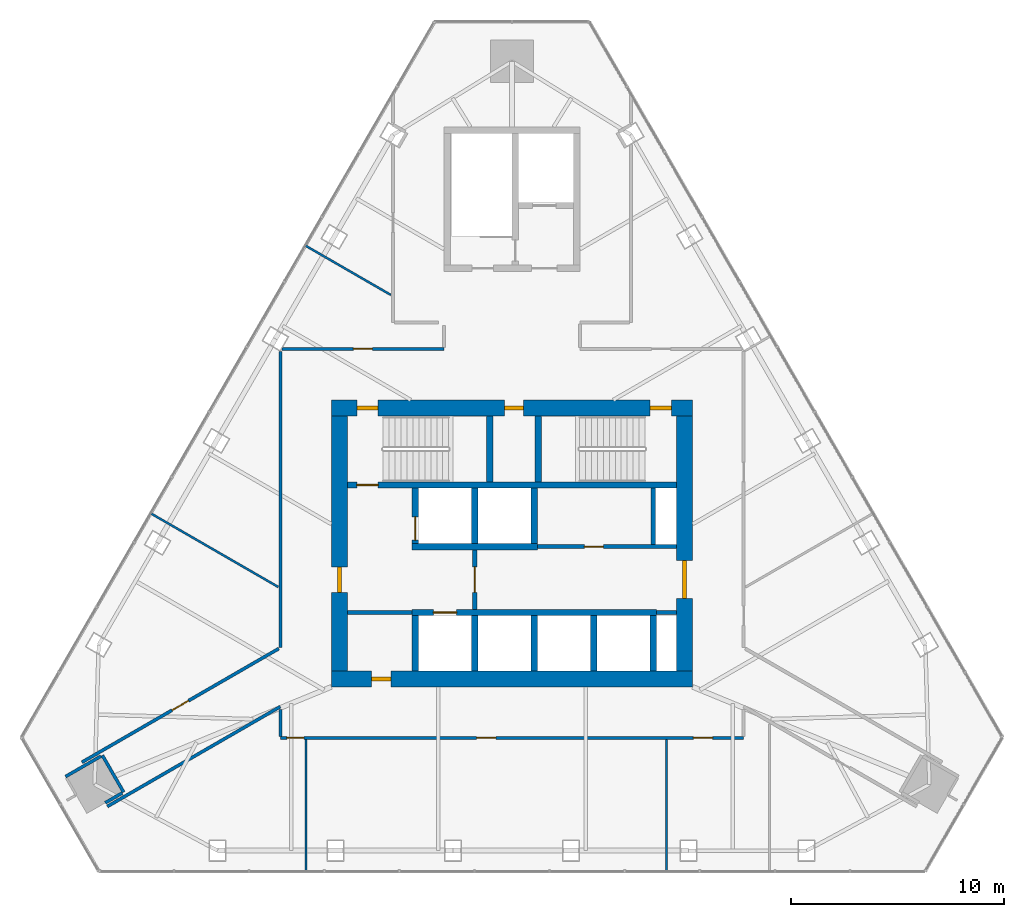
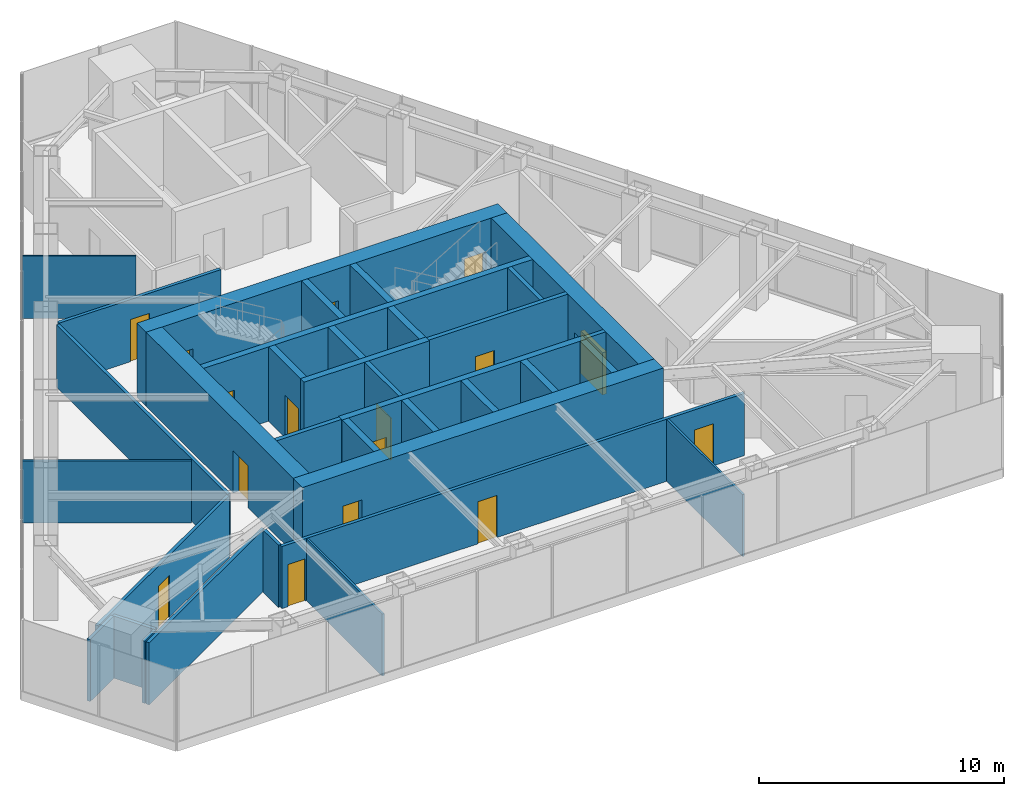
# One storey, part 11 of 13: 35 walls, 16 doors, 16 openings.
"""IFC4 building model written with IfcOpenShell, lengths in metres."""

from ifc_helpers import new_model, si_unit, direction, frame, frame_2d, origin, place, context, subcontext, project, spatial, rectangle, extrude, material, layer, layer_set, type_object, element, fill, save


model = new_model("IFC4")

# Units and contexts
model_context = context("Model", 3, precision=1e-05, world=origin(), true_north=direction((0.0, 1.0)))
body_context = subcontext(model_context, "Body", "Model", "MODEL_VIEW")
ifc_project = project(units=[si_unit("LENGTHUNIT", "METRE"), si_unit("AREAUNIT", "SQUARE_METRE"), si_unit("VOLUMEUNIT", "CUBIC_METRE"), si_unit("PLANEANGLEUNIT", "RADIAN"), si_unit("MASSUNIT", "GRAM", prefix="KILO")], contexts=[model_context])

# Site, building, storey
site_placement = place(None, origin())
site = spatial("IfcSite", under=ifc_project, at=site_placement, CompositionType="ELEMENT")
building_placement = place(site_placement, origin())
building = spatial("IfcBuilding", under=site, at=building_placement, Name="Firuza Gate Tower and Library", CompositionType="ELEMENT")
storey_placement = place(building_placement, frame((0.0, 0.0, 335.60009765625)))
storey = spatial("IfcBuildingStorey", under=building, at=storey_placement, Name="L82", CompositionType="ELEMENT", Elevation=335.60009765625)

# Walls
ifc_material_1 = material(Name="Plasterboard on steel studs", Category="steel")
ifc_layer_1 = layer(ifc_material_1, 0.199951171875)
ifc_layer_set_1 = layer_set([ifc_layer_1], Name="Core partition 200 EI 120")
wall_type_1 = type_object("IfcWallType", Name="Core partition 200 EI 120", PredefinedType="PARTITIONING", material=ifc_layer_set_1)
wall_1_placement = place(storey_placement, frame((67.25, 71.75, 0.0), z_axis=(0.0, 0.0, 1.0), x_axis=(1.0, 0.0, 0.0)))
element("IfcWall", 1, at=wall_1_placement, inside=storey, type_object=wall_type_1, Name="Core partition L82 1", PredefinedType="PARTITIONING", context=body_context, shape_type="SweptSolid", body=[
    extrude(rectangle(XDim=3.050048828125, YDim=0.199951171875, at=frame_2d((1.52490234375, 0.0))), origin(), (0.0, 0.0, 1.0), 3.699951171875),
])
wall_2_placement = place(storey_placement, frame((81.800048828125, 71.75, 0.0), z_axis=(0.0, 0.0, 1.0), x_axis=(1.0, 0.0, 0.0)))
element("IfcWall", 2, at=wall_2_placement, inside=storey, type_object=wall_type_1, Name="Core partition L82 2", PredefinedType="PARTITIONING", context=body_context, shape_type="SweptSolid", body=[
    extrude(rectangle(XDim=0.949951171875, YDim=0.199951171875, at=frame_2d((0.47509765625, 0.0))), origin(), (0.0, 0.0, 1.0), 3.699951171875),
])

# Wall, opening, door
wall_3_placement = place(storey_placement, frame((76.199951171875, 74.85009765625, 0.0), z_axis=(0.0, 0.0, 1.0), x_axis=(1.0, 0.0, 0.0)))
wall_3 = element("IfcWall", 3, at=wall_3_placement, inside=storey, type_object=wall_type_1, Name="Core partition L82 3", PredefinedType="PARTITIONING", context=body_context, shape_type="SweptSolid", body=[
    extrude(rectangle(XDim=6.550048828125, YDim=0.199951171875, at=frame_2d((3.27490234375, 0.0))), origin(), (0.0, 0.0, 1.0), 3.699951171875),
])
opening_1_placement = place(wall_3_placement, frame((2.199951171875, 0.0, 0.0)))
opening_1 = element("IfcOpeningElement", 4, at=opening_1_placement, cuts=wall_3, Name="Opening L82-K14", PredefinedType="OPENING", context=body_context, shape_type="SweptSolid", body=[
    extrude(rectangle(XDim=0.89990234375, YDim=2.10009765625, at=frame_2d((0.449951171875, 1.050048828125))), frame((0.0, 0.10986328125, 0.0), z_axis=(0.0, -1.0, 0.0), x_axis=(1.0, 0.0, 0.0)), (0.0, 0.0, 1.0), 0.219970703125),
])
ifc_material_2 = material(Name="Steel", Category="steel")
door_type_1 = type_object("IfcDoorType", Name="Fire door 900x2100 FD30S", OperationType="NOTDEFINED", PredefinedType="DOOR", material=ifc_material_2)
door_1_placement = place(opening_1_placement, origin())
door_1 = element("IfcDoor", 5, at=door_1_placement, inside=storey, type_object=door_type_1, Name="Door L82-K14", OperationType="SINGLE_SWING_LEFT", OverallHeight=2.10009765625, OverallWidth=0.89990234375, PredefinedType="DOOR", context=body_context, shape_type="SweptSolid", body=[
    extrude(rectangle(XDim=0.89990234375, YDim=2.10009765625, at=frame_2d((0.449951171875, 1.050048828125))), frame((0.0, 0.02490234375, 0.0), z_axis=(0.0, -1.0, 0.0), x_axis=(1.0, 0.0, 0.0)), (0.0, 0.0, 1.0), 0.050048828125),
])
fill(opening_1, door_1)

# Wall
wall_4_placement = place(storey_placement, frame((81.64990234375, 74.949951171875, 0.0), z_axis=(0.0, 0.0, 1.0), x_axis=(0.0, 1.0, 0.0)))
element("IfcWall", 6, at=wall_4_placement, inside=storey, type_object=wall_type_1, Name="Core partition L82 5", PredefinedType="PARTITIONING", context=body_context, shape_type="SweptSolid", body=[
    extrude(rectangle(XDim=2.650146484375, YDim=0.199951171875, at=frame_2d((1.3251953125, 0.0))), origin(), (0.0, 0.0, 1.0), 3.699951171875),
])

# Wall, opening, door
ifc_material_3 = material(Name="Plasterboard on steel studs", Category="steel")
ifc_layer_2 = layer(ifc_material_3, 0.199951171875)
ifc_layer_set_2 = layer_set([ifc_layer_2], Name="Core partition 200 EI 60")
wall_type_2 = type_object("IfcWallType", Name="Core partition 200 EI 60", PredefinedType="PARTITIONING", material=ifc_layer_set_2)
wall_5_placement = place(storey_placement, frame((73.25, 71.89990234375, 0.0), z_axis=(0.0, 0.0, 1.0), x_axis=(0.0, 1.0, 0.0)))
wall_5 = element("IfcWall", 7, at=wall_5_placement, inside=storey, type_object=wall_type_2, Name="Core partition L82 4", PredefinedType="PARTITIONING", context=body_context, shape_type="SweptSolid", body=[
    extrude(rectangle(XDim=2.800048828125, YDim=0.199951171875, at=frame_2d((1.39990234375, 0.0))), origin(), (0.0, 0.0, 1.0), 3.699951171875),
])
opening_2_placement = place(wall_5_placement, frame((0.800048828125, 0.0, 0.0)))
opening_2 = element("IfcOpeningElement", 8, at=opening_2_placement, cuts=wall_5, Name="Opening L82-K10", PredefinedType="OPENING", context=body_context, shape_type="SweptSolid", body=[
    extrude(rectangle(XDim=1.199951171875, YDim=2.10009765625, at=frame_2d((0.60009765625, 1.050048828125))), frame((0.0, 0.10986328125, 0.0), z_axis=(0.0, -1.0, 0.0), x_axis=(1.0, 0.0, 0.0)), (0.0, 0.0, 1.0), 0.219970703125),
])
ifc_material_4 = material(Name="Steel", Category="steel")
door_type_2 = type_object("IfcDoorType", Name="Fire door 1200x2100 FD90S", OperationType="NOTDEFINED", PredefinedType="DOOR", material=ifc_material_4)
door_2_placement = place(opening_2_placement, origin())
door_2 = element("IfcDoor", 9, at=door_2_placement, inside=storey, type_object=door_type_2, Name="Door L82-K10", OperationType="SINGLE_SWING_LEFT", OverallHeight=2.10009765625, OverallWidth=1.199951171875, PredefinedType="DOOR", context=body_context, shape_type="SweptSolid", body=[
    extrude(rectangle(XDim=1.199951171875, YDim=2.10009765625, at=frame_2d((0.60009765625, 1.050048828125))), frame((0.0, 0.02490234375, 0.0), z_axis=(0.0, -1.0, 0.0), x_axis=(1.0, 0.0, 0.0)), (0.0, 0.0, 1.0), 0.050048828125),
])
fill(opening_2, door_2)

ifc_material_5 = material(Name="Concrete C60/75", Category="concrete")
ifc_layer_3 = layer(ifc_material_5, 0.300048828125)
ifc_layer_set_3 = layer_set([ifc_layer_3], Name="Core wall 300 C60/75")
wall_type_3 = type_object("IfcWallType", Name="Core wall 300 C60/75", PredefinedType="SHEAR", material=ifc_layer_set_3)
wall_6_placement = place(storey_placement, frame((70.300048828125, 71.75, 0.0), z_axis=(0.0, 0.0, 1.0), x_axis=(1.0, 0.0, 0.0)))
wall_6 = element("IfcWall", 10, at=wall_6_placement, inside=storey, type_object=wall_type_3, Name="Core wall L82 5", PredefinedType="SHEAR", context=body_context, shape_type="SweptSolid", body=[
    extrude(rectangle(XDim=11.5, YDim=0.300048828125, at=frame_2d((5.75, 0.0))), origin(), (0.0, 0.0, 1.0), 3.699951171875),
])
opening_3_placement = place(wall_6_placement, frame((1.0, 0.0, 0.0)))
opening_3 = element("IfcOpeningElement", 11, at=opening_3_placement, cuts=wall_6, Name="Opening LD-FF1-L82", PredefinedType="OPENING", context=body_context, shape_type="SweptSolid", body=[
    extrude(rectangle(XDim=1.10009765625, YDim=2.10009765625, at=frame_2d((0.550048828125, 1.050048828125))), frame((0.0, 0.16015625, 0.0), z_axis=(0.0, -1.0, 0.0), x_axis=(1.0, 0.0, 0.0)), (0.0, 0.0, 1.0), 0.320068359375),
])
ifc_material_6 = material(Name="Stainless steel", Category="steel")
door_type_3 = type_object("IfcDoorType", Name="Lift landing door 1100x2100", OperationType="DOUBLE_DOOR_SLIDING", PredefinedType="DOOR", material=ifc_material_6)
door_3_placement = place(opening_3_placement, origin())
door_3 = element("IfcDoor", 12, at=door_3_placement, inside=storey, type_object=door_type_3, Name="Landing door FF1 L82", OperationType="DOUBLE_DOOR_SLIDING", OverallHeight=2.10009765625, OverallWidth=1.10009765625, PredefinedType="DOOR", context=body_context, shape_type="SweptSolid", body=[
    extrude(rectangle(XDim=1.10009765625, YDim=2.10009765625, at=frame_2d((0.550048828125, 1.050048828125))), frame((0.0, 0.02490234375, 0.0), z_axis=(0.0, -1.0, 0.0), x_axis=(1.0, 0.0, 0.0)), (0.0, 0.0, 1.0), 0.050048828125),
])
fill(opening_3, door_3)

# Walls
wall_7_placement = place(storey_placement, frame((70.300048828125, 74.85009765625, 0.0), z_axis=(0.0, 0.0, 1.0), x_axis=(1.0, 0.0, 0.0)))
element("IfcWall", 13, at=wall_7_placement, inside=storey, type_object=wall_type_3, Name="Core wall L82 6", PredefinedType="SHEAR", context=body_context, shape_type="SweptSolid", body=[
    extrude(rectangle(XDim=5.89990234375, YDim=0.300048828125, at=frame_2d((2.949951171875, 0.0))), origin(), (0.0, 0.0, 1.0), 3.699951171875),
])
wall_8_placement = place(storey_placement, frame((70.449951171875, 69.0, 0.0), z_axis=(0.0, 0.0, 1.0), x_axis=(0.0, 1.0, 0.0)))
element("IfcWall", 14, at=wall_8_placement, inside=storey, type_object=wall_type_3, Name="Core wall L82 7", PredefinedType="SHEAR", context=body_context, shape_type="SweptSolid", body=[
    extrude(rectangle(XDim=2.60009765625, YDim=0.300048828125, at=frame_2d((1.300048828125, 0.0))), origin(), (0.0, 0.0, 1.0), 3.699951171875),
])

# Wall, opening, door
wall_9_placement = place(storey_placement, frame((70.449951171875, 75.0, 0.0), z_axis=(0.0, 0.0, 1.0), x_axis=(0.0, 1.0, 0.0)))
wall_9 = element("IfcWall", 15, at=wall_9_placement, inside=storey, type_object=wall_type_3, Name="Core wall L82 8", PredefinedType="SHEAR", context=body_context, shape_type="SweptSolid", body=[
    extrude(rectangle(XDim=2.60009765625, YDim=0.300048828125, at=frame_2d((1.300048828125, 0.0))), origin(), (0.0, 0.0, 1.0), 3.699951171875),
])
opening_4_placement = place(wall_9_placement, frame((0.14990234375, 0.0, 0.0)))
opening_4 = element("IfcOpeningElement", 16, at=opening_4_placement, cuts=wall_9, Name="Opening LD-FF2-L82", PredefinedType="OPENING", context=body_context, shape_type="SweptSolid", body=[
    extrude(rectangle(XDim=1.10009765625, YDim=2.10009765625, at=frame_2d((0.550048828125, 1.050048828125))), frame((0.0, 0.16015625, 0.0), z_axis=(0.0, -1.0, 0.0), x_axis=(1.0, 0.0, 0.0)), (0.0, 0.0, 1.0), 0.320068359375),
])
door_4_placement = place(opening_4_placement, origin())
door_4 = element("IfcDoor", 17, at=door_4_placement, inside=storey, type_object=door_type_3, Name="Landing door FF2 L82", OperationType="DOUBLE_DOOR_SLIDING", OverallHeight=2.10009765625, OverallWidth=1.10009765625, PredefinedType="DOOR", context=body_context, shape_type="SweptSolid", body=[
    extrude(rectangle(XDim=1.10009765625, YDim=2.10009765625, at=frame_2d((0.550048828125, 1.050048828125))), frame((0.0, 0.02490234375, 0.0), z_axis=(0.0, -1.0, 0.0), x_axis=(1.0, 0.0, 0.0)), (0.0, 0.0, 1.0), 0.050048828125),
])
fill(opening_4, door_4)

# Walls
for number, where, z_axis, x_axis, name in (
    (18, (73.25, 69.0, 0.0), (0.0, 0.0, 1.0), (0.0, 1.0, 0.0), "Core wall L82 9"),
    (19, (73.25, 75.0, 0.0), (0.0, 0.0, 1.0), (0.0, 1.0, 0.0), "Core wall L82 10"),
    (20, (76.050048828125, 69.0, 0.0), (0.0, 0.0, 1.0), (0.0, 1.0, 0.0), "Core wall L82 11"),
    (21, (76.050048828125, 75.0, 0.0), (0.0, 0.0, 1.0), (0.0, 1.0, 0.0), "Core wall L82 12"),
    (22, (78.85009765625, 69.0, 0.0), (0.0, 0.0, 1.0), (0.0, 1.0, 0.0), "Core wall L82 13"),
    (23, (81.64990234375, 69.0, 0.0), (0.0, 0.0, 1.0), (0.0, 1.0, 0.0), "Core wall L82 14"),
):
    element("IfcWall", number, at=place(storey_placement, frame(where, z_axis=z_axis, x_axis=x_axis)), inside=storey, type_object=wall_type_3, Name=name, PredefinedType="SHEAR", context=body_context, shape_type="SweptSolid", body=[
        extrude(rectangle(XDim=2.60009765625, YDim=0.300048828125, at=frame_2d((1.300048828125, 0.0))), origin(), (0.0, 0.0, 1.0), 3.699951171875),
    ])

# Wall, opening, door
wall_10_placement = place(storey_placement, frame((67.25, 77.75, 0.0), z_axis=(0.0, 0.0, 1.0), x_axis=(1.0, 0.0, 0.0)))
wall_10 = element("IfcWall", 24, at=wall_10_placement, inside=storey, type_object=wall_type_3, Name="Core wall L82 15", PredefinedType="SHEAR", context=body_context, shape_type="SweptSolid", body=[
    extrude(rectangle(XDim=15.5, YDim=0.300048828125, at=frame_2d((7.75, 0.0))), origin(), (0.0, 0.0, 1.0), 3.699951171875),
])
opening_5_placement = place(wall_10_placement, frame((0.445068359375, 0.0, 0.0)))
opening_5 = element("IfcOpeningElement", 25, at=opening_5_placement, cuts=wall_10, Name="Opening L82-K04", PredefinedType="OPENING", context=body_context, shape_type="SweptSolid", body=[
    extrude(rectangle(XDim=1.0, YDim=2.10009765625, at=frame_2d((0.5, 1.050048828125))), frame((0.0, 0.16015625, 0.0), z_axis=(0.0, -1.0, 0.0), x_axis=(1.0, 0.0, 0.0)), (0.0, 0.0, 1.0), 0.320068359375),
])
ifc_material_7 = material(Name="Steel", Category="steel")
door_type_4 = type_object("IfcDoorType", Name="Fire door 1000x2100 FD90", OperationType="NOTDEFINED", PredefinedType="DOOR", material=ifc_material_7)
door_5_placement = place(opening_5_placement, origin())
door_5 = element("IfcDoor", 26, at=door_5_placement, inside=storey, type_object=door_type_4, Name="Door L82-K04", OperationType="SINGLE_SWING_LEFT", OverallHeight=2.10009765625, OverallWidth=1.0, PredefinedType="DOOR", context=body_context, shape_type="SweptSolid", body=[
    extrude(rectangle(XDim=1.0, YDim=2.10009765625, at=frame_2d((0.5, 1.050048828125))), frame((0.0, 0.02490234375, 0.0), z_axis=(0.0, -1.0, 0.0), x_axis=(1.0, 0.0, 0.0)), (0.0, 0.0, 1.0), 0.050048828125),
])
fill(opening_5, door_5)

# Walls
for number, where, z_axis, x_axis, name in (
    (27, (73.9599609375, 77.89990234375, 0.0), (0.0, 0.0, 1.0), (0.0, 1.0, 0.0), "Core wall L82 16"),
    (28, (76.239990234375, 77.89990234375, 0.0), (0.0, 0.0, 1.0), (0.0, 1.0, 0.0), "Core wall L82 17"),
):
    element("IfcWall", number, at=place(storey_placement, frame(where, z_axis=z_axis, x_axis=x_axis)), inside=storey, type_object=wall_type_3, Name=name, PredefinedType="SHEAR", context=body_context, shape_type="SweptSolid", body=[
        extrude(rectangle(XDim=3.10009765625, YDim=0.300048828125, at=frame_2d((1.550048828125, 0.0))), origin(), (0.0, 0.0, 1.0), 3.699951171875),
    ])

# Wall, opening, door
ifc_material_8 = material(Name="Concrete C60/75", Category="concrete")
ifc_layer_4 = layer(ifc_material_8, 0.75)
ifc_layer_set_4 = layer_set([ifc_layer_4], Name="Core wall 750 C60/75")
wall_type_4 = type_object("IfcWallType", Name="Core wall 750 C60/75", PredefinedType="SHEAR", material=ifc_layer_set_4)
wall_11_placement = place(storey_placement, frame((66.5, 68.625, 0.0), z_axis=(0.0, 0.0, 1.0), x_axis=(1.0, 0.0, 0.0)))
wall_11 = element("IfcWall", 29, at=wall_11_placement, inside=storey, type_object=wall_type_4, Name="Core wall L82 1", PredefinedType="SHEAR", context=body_context, shape_type="SweptSolid", body=[
    extrude(rectangle(XDim=17.0, YDim=0.75, at=frame_2d((8.5, 0.0))), origin(), (0.0, 0.0, 1.0), 3.699951171875),
])
opening_6_placement = place(wall_11_placement, frame((1.89990234375, 0.0, 0.0)))
opening_6 = element("IfcOpeningElement", 30, at=opening_6_placement, cuts=wall_11, Name="Opening L82-K13", PredefinedType="OPENING", context=body_context, shape_type="SweptSolid", body=[
    extrude(rectangle(XDim=0.89990234375, YDim=2.10009765625, at=frame_2d((0.449951171875, 1.050048828125))), frame((0.0, 0.385009765625, 0.0), z_axis=(0.0, -1.0, 0.0), x_axis=(1.0, 0.0, 0.0)), (0.0, 0.0, 1.0), 0.77001953125),
])
door_6_placement = place(opening_6_placement, origin())
door_6 = element("IfcDoor", 31, at=door_6_placement, inside=storey, type_object=door_type_1, Name="Door L82-K13", OperationType="SINGLE_SWING_RIGHT", OverallHeight=2.10009765625, OverallWidth=0.89990234375, PredefinedType="DOOR", context=body_context, shape_type="SweptSolid", body=[
    extrude(rectangle(XDim=0.89990234375, YDim=2.10009765625, at=frame_2d((0.449951171875, 1.050048828125))), frame((0.0, 0.094970703125, 0.0), z_axis=(0.0, -1.0, 0.0), x_axis=(1.0, 0.0, 0.0)), (0.0, 0.0, 1.0), 0.18994140625),
])
fill(opening_6, door_6)

# Wall, openings, doors
wall_12_placement = place(storey_placement, frame((66.5, 81.375, 0.0), z_axis=(0.0, 0.0, 1.0), x_axis=(1.0, 0.0, 0.0)))
wall_12 = element("IfcWall", 32, at=wall_12_placement, inside=storey, type_object=wall_type_4, Name="Core wall L82 2", PredefinedType="SHEAR", context=body_context, shape_type="SweptSolid", body=[
    extrude(rectangle(XDim=17.0, YDim=0.75, at=frame_2d((8.5, 0.0))), origin(), (0.0, 0.0, 1.0), 3.699951171875),
])
opening_7_placement = place(wall_12_placement, frame((1.195068359375, 0.0, 0.0)))
opening_7 = element("IfcOpeningElement", 33, at=opening_7_placement, cuts=wall_12, Name="Opening L82-K05", PredefinedType="OPENING", context=body_context, shape_type="SweptSolid", body=[
    extrude(rectangle(XDim=1.0, YDim=2.10009765625, at=frame_2d((0.5, 1.050048828125))), frame((0.0, 0.385009765625, 0.0), z_axis=(0.0, -1.0, 0.0), x_axis=(1.0, 0.0, 0.0)), (0.0, 0.0, 1.0), 0.77001953125),
])
opening_8_placement = place(wall_12_placement, frame((15.0048828125, 0.0, 0.0)))
opening_8 = element("IfcOpeningElement", 34, at=opening_8_placement, cuts=wall_12, Name="Opening L82-K06", PredefinedType="OPENING", context=body_context, shape_type="SweptSolid", body=[
    extrude(rectangle(XDim=1.0, YDim=2.10009765625, at=frame_2d((0.5, 1.050048828125))), frame((0.0, 0.385009765625, 0.0), z_axis=(0.0, -1.0, 0.0), x_axis=(1.0, 0.0, 0.0)), (0.0, 0.0, 1.0), 0.77001953125),
])
opening_9_placement = place(wall_12_placement, frame((8.14990234375, 0.0, 0.0)))
opening_9 = element("IfcOpeningElement", 35, at=opening_9_placement, cuts=wall_12, Name="Opening L82-K15", PredefinedType="OPENING", context=body_context, shape_type="SweptSolid", body=[
    extrude(rectangle(XDim=0.89990234375, YDim=2.10009765625, at=frame_2d((0.449951171875, 1.050048828125))), frame((0.0, 0.385009765625, 0.0), z_axis=(0.0, -1.0, 0.0), x_axis=(1.0, 0.0, 0.0)), (0.0, 0.0, 1.0), 0.77001953125),
])
door_7_placement = place(opening_7_placement, origin())
door_7 = element("IfcDoor", 36, at=door_7_placement, inside=storey, type_object=door_type_4, Name="Door L82-K05", OperationType="SINGLE_SWING_RIGHT", OverallHeight=2.10009765625, OverallWidth=1.0, PredefinedType="DOOR", context=body_context, shape_type="SweptSolid", body=[
    extrude(rectangle(XDim=1.0, YDim=2.10009765625, at=frame_2d((0.5, 1.050048828125))), frame((0.0, 0.094970703125, 0.0), z_axis=(0.0, -1.0, 0.0), x_axis=(1.0, 0.0, 0.0)), (0.0, 0.0, 1.0), 0.18994140625),
])
fill(opening_7, door_7)
door_8_placement = place(opening_8_placement, origin())
door_8 = element("IfcDoor", 37, at=door_8_placement, inside=storey, type_object=door_type_4, Name="Door L82-K06", OperationType="SINGLE_SWING_LEFT", OverallHeight=2.10009765625, OverallWidth=1.0, PredefinedType="DOOR", context=body_context, shape_type="SweptSolid", body=[
    extrude(rectangle(XDim=1.0, YDim=2.10009765625, at=frame_2d((0.5, 1.050048828125))), frame((0.0, 0.094970703125, 0.0), z_axis=(0.0, -1.0, 0.0), x_axis=(1.0, 0.0, 0.0)), (0.0, 0.0, 1.0), 0.18994140625),
])
fill(opening_8, door_8)
door_9_placement = place(opening_9_placement, origin())
door_9 = element("IfcDoor", 38, at=door_9_placement, inside=storey, type_object=door_type_1, Name="Door L82-K15", OperationType="SINGLE_SWING_RIGHT", OverallHeight=2.10009765625, OverallWidth=0.89990234375, PredefinedType="DOOR", context=body_context, shape_type="SweptSolid", body=[
    extrude(rectangle(XDim=0.89990234375, YDim=2.10009765625, at=frame_2d((0.449951171875, 1.050048828125))), frame((0.0, 0.094970703125, 0.0), z_axis=(0.0, -1.0, 0.0), x_axis=(1.0, 0.0, 0.0)), (0.0, 0.0, 1.0), 0.18994140625),
])
fill(opening_9, door_9)

# Wall, opening, door
wall_13_placement = place(storey_placement, frame((66.875, 69.0, 0.0), z_axis=(0.0, 0.0, 1.0), x_axis=(0.0, 1.0, 0.0)))
wall_13 = element("IfcWall", 39, at=wall_13_placement, inside=storey, type_object=wall_type_4, Name="Core wall L82 3", PredefinedType="SHEAR", context=body_context, shape_type="SweptSolid", body=[
    extrude(rectangle(XDim=12.0, YDim=0.75, at=frame_2d((6.0, 0.0))), origin(), (0.0, 0.0, 1.0), 3.699951171875),
])
opening_10_placement = place(wall_13_placement, frame((3.699951171875, 0.0, 0.0)))
opening_10 = element("IfcOpeningElement", 40, at=opening_10_placement, cuts=wall_13, Name="Opening L82-K11", PredefinedType="OPENING", context=body_context, shape_type="SweptSolid", body=[
    extrude(rectangle(XDim=1.199951171875, YDim=2.10009765625, at=frame_2d((0.60009765625, 1.050048828125))), frame((0.0, 0.385009765625, 0.0), z_axis=(0.0, -1.0, 0.0), x_axis=(1.0, 0.0, 0.0)), (0.0, 0.0, 1.0), 0.77001953125),
])
door_10_placement = place(opening_10_placement, origin())
door_10 = element("IfcDoor", 41, at=door_10_placement, inside=storey, type_object=door_type_2, Name="Door L82-K11", OperationType="SINGLE_SWING_RIGHT", OverallHeight=2.10009765625, OverallWidth=1.199951171875, PredefinedType="DOOR", context=body_context, shape_type="SweptSolid", body=[
    extrude(rectangle(XDim=1.199951171875, YDim=2.10009765625, at=frame_2d((0.60009765625, 1.050048828125))), frame((0.0, 0.094970703125, 0.0), z_axis=(0.0, -1.0, 0.0), x_axis=(1.0, 0.0, 0.0)), (0.0, 0.0, 1.0), 0.18994140625),
])
fill(opening_10, door_10)

wall_14_placement = place(storey_placement, frame((83.125, 69.0, 0.0), z_axis=(0.0, 0.0, 1.0), x_axis=(0.0, 1.0, 0.0)))
wall_14 = element("IfcWall", 42, at=wall_14_placement, inside=storey, type_object=wall_type_4, Name="Core wall L82 4", PredefinedType="SHEAR", context=body_context, shape_type="SweptSolid", body=[
    extrude(rectangle(XDim=12.0, YDim=0.75, at=frame_2d((6.0, 0.0))), origin(), (0.0, 0.0, 1.0), 3.699951171875),
])
opening_11_placement = place(wall_14_placement, frame((3.39990234375, 0.0, 0.0)))
opening_11 = element("IfcOpeningElement", 43, at=opening_11_placement, cuts=wall_14, Name="Opening L82-K12", PredefinedType="OPENING", context=body_context, shape_type="SweptSolid", body=[
    extrude(rectangle(XDim=1.800048828125, YDim=2.10009765625, at=frame_2d((0.89990234375, 1.050048828125))), frame((0.0, 0.385009765625, 0.0), z_axis=(0.0, -1.0, 0.0), x_axis=(1.0, 0.0, 0.0)), (0.0, 0.0, 1.0), 0.77001953125),
])
ifc_material_9 = material(Name="Steel", Category="steel")
door_type_5 = type_object("IfcDoorType", Name="Fire door 1800x2100 FD30S", OperationType="NOTDEFINED", PredefinedType="DOOR", material=ifc_material_9)
door_11_placement = place(opening_11_placement, origin())
door_11 = element("IfcDoor", 44, at=door_11_placement, inside=storey, type_object=door_type_5, Name="Door L82-K12", OperationType="SINGLE_SWING_LEFT", OverallHeight=2.10009765625, OverallWidth=1.800048828125, PredefinedType="DOOR", context=body_context, shape_type="SweptSolid", body=[
    extrude(rectangle(XDim=1.800048828125, YDim=2.10009765625, at=frame_2d((0.89990234375, 1.050048828125))), frame((0.0, 0.094970703125, 0.0), z_axis=(0.0, -1.0, 0.0), x_axis=(1.0, 0.0, 0.0)), (0.0, 0.0, 1.0), 0.18994140625),
])
fill(opening_11, door_11)

# Wall, openings, doors
ifc_material_10 = material(Name="Gypsum board partition")
ifc_layer_5 = layer(ifc_material_10, 0.14990234375)
ifc_layer_set_5 = layer_set([ifc_layer_5], Name="Corridor wall 150 double board on steel studs")
wall_type_5 = type_object("IfcWallType", Name="Corridor wall 150 double board on steel studs", PredefinedType="PARTITIONING", material=ifc_layer_set_5)
wall_15_placement = place(storey_placement, frame((85.8994140625, 65.85009765625, 0.0), z_axis=(0.0, 0.0, 1.0), x_axis=(-1.0, 0.0, 0.0)))
wall_15 = element("IfcWall", 45, at=wall_15_placement, inside=storey, type_object=wall_type_5, Name="f:L82:w000", PredefinedType="PARTITIONING", context=body_context, shape_type="SweptSolid", body=[
    extrude(rectangle(XDim=21.798828125, YDim=0.14990234375, at=frame_2d((10.8994140625, 0.0))), origin(), (0.0, 0.0, 1.0), 3.099853515625),
])
opening_12_placement = place(wall_15_placement, frame((1.4638671875, 0.0, 0.0)))
opening_12 = element("IfcOpeningElement", 46, at=opening_12_placement, cuts=wall_15, Name="Opening L82-01", PredefinedType="OPENING", context=body_context, shape_type="SweptSolid", body=[
    extrude(rectangle(XDim=0.89990234375, YDim=2.10009765625, at=frame_2d((0.449951171875, 1.050048828125))), frame((0.0, 0.0849609375, 0.0), z_axis=(0.0, -1.0, 0.0), x_axis=(1.0, 0.0, 0.0)), (0.0, 0.0, 1.0), 0.169921875),
])
opening_13_placement = place(wall_15_placement, frame((11.662109375, 0.0, 0.0)))
opening_13 = element("IfcOpeningElement", 47, at=opening_13_placement, cuts=wall_15, Name="Opening L82-02", PredefinedType="OPENING", context=body_context, shape_type="SweptSolid", body=[
    extrude(rectangle(XDim=0.89990234375, YDim=2.10009765625, at=frame_2d((0.449951171875, 1.050048828125))), frame((0.0, 0.0849609375, 0.0), z_axis=(0.0, -1.0, 0.0), x_axis=(1.0, 0.0, 0.0)), (0.0, 0.0, 1.0), 0.169921875),
])
opening_14_placement = place(wall_15_placement, frame((20.69775390625, 0.0, 0.0)))
opening_14 = element("IfcOpeningElement", 48, at=opening_14_placement, cuts=wall_15, Name="Opening L82-03", PredefinedType="OPENING", context=body_context, shape_type="SweptSolid", body=[
    extrude(rectangle(XDim=0.800048828125, YDim=2.10009765625, at=frame_2d((0.39990234375, 1.050048828125))), frame((0.0, 0.0849609375, 0.0), z_axis=(0.0, -1.0, 0.0), x_axis=(1.0, 0.0, 0.0)), (0.0, 0.0, 1.0), 0.169921875),
])
ifc_material_11 = material(Name="Timber door", Category="wood")
door_type_6 = type_object("IfcDoorType", Name="Door 800 x 2100 timber leaf", OperationType="NOTDEFINED", PredefinedType="DOOR", material=ifc_material_11)
door_12_placement = place(opening_14_placement, origin())
door_12 = element("IfcDoor", 49, at=door_12_placement, inside=storey, type_object=door_type_6, Name="f:L82:d003", OperationType="SINGLE_SWING_RIGHT", OverallHeight=2.10009765625, OverallWidth=0.800048828125, PredefinedType="DOOR", context=body_context, shape_type="SweptSolid", body=[
    extrude(rectangle(XDim=0.800048828125, YDim=2.10009765625, at=frame_2d((0.39990234375, 1.050048828125))), frame((0.0, 0.02490234375, 0.0), z_axis=(0.0, -1.0, 0.0), x_axis=(1.0, 0.0, 0.0)), (0.0, 0.0, 1.0), 0.050048828125),
])
fill(opening_14, door_12)
ifc_material_12 = material(Name="Steel door and timber leaf", Category="steel")
door_type_7 = type_object("IfcDoorType", Name="Fire door 900 x 2100 steel frame, timber leaf", OperationType="NOTDEFINED", PredefinedType="DOOR", material=ifc_material_12)
door_13_placement = place(opening_12_placement, origin())
door_13 = element("IfcDoor", 50, at=door_13_placement, inside=storey, type_object=door_type_7, Name="f:L82:d001", OperationType="SINGLE_SWING_RIGHT", OverallHeight=2.10009765625, OverallWidth=0.89990234375, PredefinedType="DOOR", context=body_context, shape_type="SweptSolid", body=[
    extrude(rectangle(XDim=0.89990234375, YDim=2.10009765625, at=frame_2d((0.449951171875, 1.050048828125))), frame((0.0, 0.02490234375, 0.0), z_axis=(0.0, -1.0, 0.0), x_axis=(1.0, 0.0, 0.0)), (0.0, 0.0, 1.0), 0.050048828125),
])
fill(opening_12, door_13)
door_14_placement = place(opening_13_placement, origin())
door_14 = element("IfcDoor", 51, at=door_14_placement, inside=storey, type_object=door_type_7, Name="f:L82:d002", OperationType="SINGLE_SWING_LEFT", OverallHeight=2.10009765625, OverallWidth=0.89990234375, PredefinedType="DOOR", context=body_context, shape_type="SweptSolid", body=[
    extrude(rectangle(XDim=0.89990234375, YDim=2.10009765625, at=frame_2d((0.449951171875, 1.050048828125))), frame((0.0, 0.02490234375, 0.0), z_axis=(0.0, -1.0, 0.0), x_axis=(1.0, 0.0, 0.0)), (0.0, 0.0, 1.0), 0.050048828125),
])
fill(opening_13, door_14)

# Wall, opening, door
wall_16_placement = place(storey_placement, frame((71.800048828125, 84.14990234375, 0.0), z_axis=(0.0, 0.0, 1.0), x_axis=(-1.0, 0.0, 0.0)))
wall_16 = element("IfcWall", 52, at=wall_16_placement, inside=storey, type_object=wall_type_5, Name="f:L82:w001", PredefinedType="PARTITIONING", context=body_context, shape_type="SweptSolid", body=[
    extrude(rectangle(XDim=7.6337890625, YDim=0.14990234375, at=frame_2d((3.81689453125, 0.0))), origin(), (0.0, 0.0, 1.0), 3.099853515625),
])
opening_15_placement = place(wall_16_placement, frame((3.366943359375, 0.0, 0.0)))
opening_15 = element("IfcOpeningElement", 53, at=opening_15_placement, cuts=wall_16, Name="Opening L82-04", PredefinedType="OPENING", context=body_context, shape_type="SweptSolid", body=[
    extrude(rectangle(XDim=0.89990234375, YDim=2.10009765625, at=frame_2d((0.449951171875, 1.050048828125))), frame((0.0, 0.0849609375, 0.0), z_axis=(0.0, -1.0, 0.0), x_axis=(1.0, 0.0, 0.0)), (0.0, 0.0, 1.0), 0.169921875),
])
door_15_placement = place(opening_15_placement, origin())
door_15 = element("IfcDoor", 54, at=door_15_placement, inside=storey, type_object=door_type_7, Name="f:L82:d004", OperationType="SINGLE_SWING_RIGHT", OverallHeight=2.10009765625, OverallWidth=0.89990234375, PredefinedType="DOOR", context=body_context, shape_type="SweptSolid", body=[
    extrude(rectangle(XDim=0.89990234375, YDim=2.10009765625, at=frame_2d((0.449951171875, 1.050048828125))), frame((0.0, 0.02490234375, 0.0), z_axis=(0.0, -1.0, 0.0), x_axis=(1.0, 0.0, 0.0)), (0.0, 0.0, 1.0), 0.050048828125),
])
fill(opening_15, door_15)

# Walls
wall_17_placement = place(storey_placement, frame((55.959228515625, 62.621337890625, 0.0), z_axis=(0.0, 0.0, 1.0), x_axis=(0.866027286158, 0.499996739618, 0.0)))
element("IfcWall", 55, at=wall_17_placement, inside=storey, type_object=wall_type_5, Name="f:L82:w006", PredefinedType="PARTITIONING", context=body_context, shape_type="SweptSolid", body=[
    extrude(rectangle(XDim=9.39990234375, YDim=0.14990234375, at=frame_2d((4.699951171875, 0.0))), origin(), (0.0, 0.0, 1.0), 3.096923828125),
])
wall_18_placement = place(storey_placement, frame((55.859130859375, 62.79443359375, 0.0), z_axis=(0.0, 0.0, 1.0), x_axis=(0.865974401185, 0.500088328689, 0.0)))
element("IfcWall", 56, at=wall_18_placement, inside=storey, type_object=wall_type_5, Name="f:L82:w007", PredefinedType="PARTITIONING", context=body_context, shape_type="SweptSolid", body=[
    extrude(rectangle(XDim=0.924072265625, YDim=0.14990234375, at=frame_2d((0.4619140625, 0.0))), origin(), (0.0, 0.0, 1.0), 3.099853515625),
])
wall_19_placement = place(storey_placement, frame((53.9931640625, 64.026611328125, 0.0), z_axis=(0.0, 0.0, 1.0), x_axis=(0.866048237946, 0.499960447986, 0.0)))
element("IfcWall", 57, at=wall_19_placement, inside=storey, type_object=wall_type_5, Name="f:L82:w009", PredefinedType="PARTITIONING", context=body_context, shape_type="SweptSolid", body=[
    extrude(rectangle(XDim=1.924072265625, YDim=0.14990234375, at=frame_2d((0.9619140625, 0.0))), origin(), (0.0, 0.0, 1.0), 3.099853515625),
])

# Wall, opening, door
wall_20_placement = place(storey_placement, frame((54.75927734375, 64.69970703125, 0.0), z_axis=(0.0, 0.0, 1.0), x_axis=(0.866021425885, 0.500006889861, 0.0)))
wall_20 = element("IfcWall", 58, at=wall_20_placement, inside=storey, type_object=wall_type_5, Name="f:L82:w010", PredefinedType="PARTITIONING", context=body_context, shape_type="SweptSolid", body=[
    extrude(rectangle(XDim=10.698974609375, YDim=0.14990234375, at=frame_2d((5.349609375, 0.0))), origin(), (0.0, 0.0, 1.0), 3.099853515625),
])
opening_16_placement = place(wall_20_placement, frame((4.899658203125, 0.0, 0.0)))
opening_16 = element("IfcOpeningElement", 59, at=opening_16_placement, cuts=wall_20, Name="Opening L82-06", PredefinedType="OPENING", context=body_context, shape_type="SweptSolid", body=[
    extrude(rectangle(XDim=0.89990234375, YDim=2.10009765625, at=frame_2d((0.449951171875, 1.050048828125))), frame((0.0, 0.0849609375, 0.0), z_axis=(0.0, -1.0, 0.0), x_axis=(1.0, 0.0, 0.0)), (0.0, 0.0, 1.0), 0.169921875),
])
door_16_placement = place(opening_16_placement, origin())
door_16 = element("IfcDoor", 60, at=door_16_placement, inside=storey, type_object=door_type_7, Name="f:L82:d006", OperationType="SINGLE_SWING_RIGHT", OverallHeight=2.10009765625, OverallWidth=0.89990234375, PredefinedType="DOOR", context=body_context, shape_type="SweptSolid", body=[
    extrude(rectangle(XDim=0.89990234375, YDim=2.10009765625, at=frame_2d((0.449951171875, 1.050048828125))), frame((0.0, 0.02490234375, 0.0), z_axis=(0.0, -1.0, 0.0), x_axis=(1.0, 0.0, 0.0)), (0.0, 0.0, 1.0), 0.050048828125),
])
fill(opening_16, door_16)

# Walls
wall_21_placement = place(storey_placement, frame((64.10009765625, 65.925537109375, 0.0), z_axis=(0.0, 0.0, 1.0), x_axis=(0.0, 1.0, 0.0)))
element("IfcWall", 61, at=wall_21_placement, inside=storey, type_object=wall_type_5, Name="f:L82:w027", PredefinedType="PARTITIONING", context=body_context, shape_type="SweptSolid", body=[
    extrude(rectangle(XDim=1.259033203125, YDim=0.14990234375, at=frame_2d((0.62939453125, 0.0))), origin(), (0.0, 0.0, 1.0), 3.096923828125),
])
wall_22_placement = place(storey_placement, frame((64.10009765625, 70.092529296875, 0.0), z_axis=(0.0, 0.0, 1.0), x_axis=(0.0, 1.0, 0.0)))
element("IfcWall", 62, at=wall_22_placement, inside=storey, type_object=wall_type_5, Name="f:L82:w028", PredefinedType="PARTITIONING", context=body_context, shape_type="SweptSolid", body=[
    extrude(rectangle(XDim=13.943115234375, YDim=0.14990234375, at=frame_2d((6.9716796875, 0.0))), origin(), (0.0, 0.0, 1.0), 3.099853515625),
])
wall_23_placement = place(storey_placement, frame((56.724365234375, 63.29443359375, 0.0), z_axis=(0.0, 0.0, 1.0), x_axis=(-0.500000846469, 0.866024915075, 0.0)))
element("IfcWall", 63, at=wall_23_placement, inside=storey, type_object=wall_type_5, Name="f:L82:w030", PredefinedType="PARTITIONING", context=body_context, shape_type="SweptSolid", body=[
    extrude(rectangle(XDim=1.9990234375, YDim=0.14990234375, at=frame_2d((0.99951171875, 0.0))), origin(), (0.0, 0.0, 1.0), 3.096923828125),
])
ifc_material_13 = material(Name="Gypsum board partition")
ifc_layer_6 = layer(ifc_material_13, 0.10009765625)
ifc_layer_set_6 = layer_set([ifc_layer_6], Name="Partition 100 gypsum board on steel studs")
wall_type_6 = type_object("IfcWallType", Name="Partition 100 gypsum board on steel studs", PredefinedType="PARTITIONING", material=ifc_layer_set_6)
for number, where, z_axis, x_axis, name in (
    (64, (82.27490234375, 59.58251953125, 0.0), (0.0, 0.0, 1.0), (0.0, 1.0, 0.0), "f:L82:w019"),
    (65, (65.300048828125, 59.58251953125, 0.0), (0.0, 0.0, 1.0), (0.0, 1.0, 0.0), "f:L82:w026"),
):
    element("IfcWall", number, at=place(storey_placement, frame(where, z_axis=z_axis, x_axis=x_axis)), inside=storey, type_object=wall_type_6, Name=name, PredefinedType="PARTITIONING", context=body_context, shape_type="SweptSolid", body=[
        extrude(rectangle(XDim=6.1923828125, YDim=0.10009765625, at=frame_2d((3.09619140625, 0.0))), origin(), (0.0, 0.0, 1.0), 3.087890625),
    ])
wall_24_placement = place(storey_placement, frame((69.299072265625, 86.69189453125, 0.0), z_axis=(0.0, 0.0, 1.0), x_axis=(-0.866003985137, 0.500037096351, 0.0)))
element("IfcWall", 66, at=wall_24_placement, inside=storey, type_object=wall_type_6, Name="f:L82:w033", PredefinedType="PARTITIONING", context=body_context, shape_type="SweptSolid", body=[
    extrude(rectangle(XDim=4.634521484375, YDim=0.10009765625, at=frame_2d((2.3173828125, 0.0))), origin(), (0.0, 0.0, 1.0), 3.087890625),
])
wall_25_placement = place(storey_placement, frame((63.9990234375, 72.951171875, 0.0), z_axis=(0.0, 0.0, 1.0), x_axis=(-0.866038012538, 0.499978160363, 0.0)))
element("IfcWall", 67, at=wall_25_placement, inside=storey, type_object=wall_type_6, Name="f:L82:w039", PredefinedType="PARTITIONING", context=body_context, shape_type="SweptSolid", body=[
    extrude(rectangle(XDim=6.914794921875, YDim=0.10009765625, at=frame_2d((3.45751953125, 0.0))), origin(), (0.0, 0.0, 1.0), 3.087890625),
])

save(model, "model.ifc")
